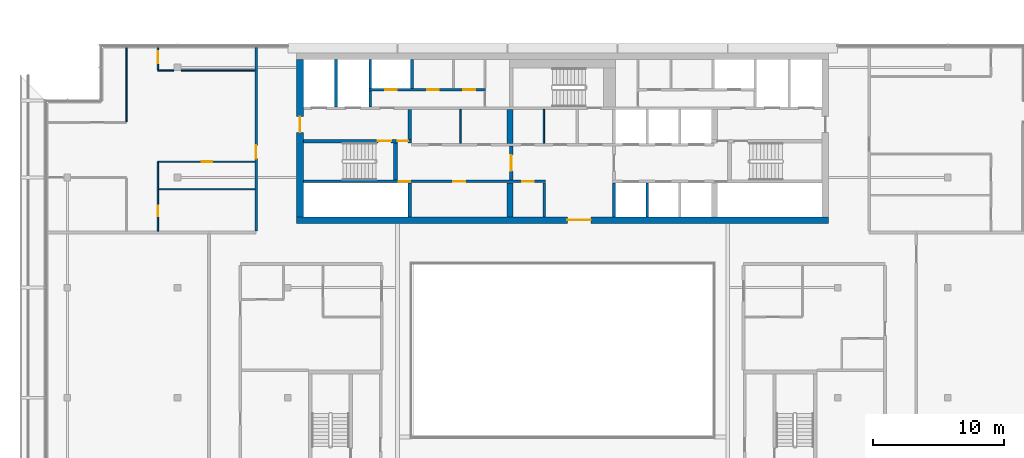
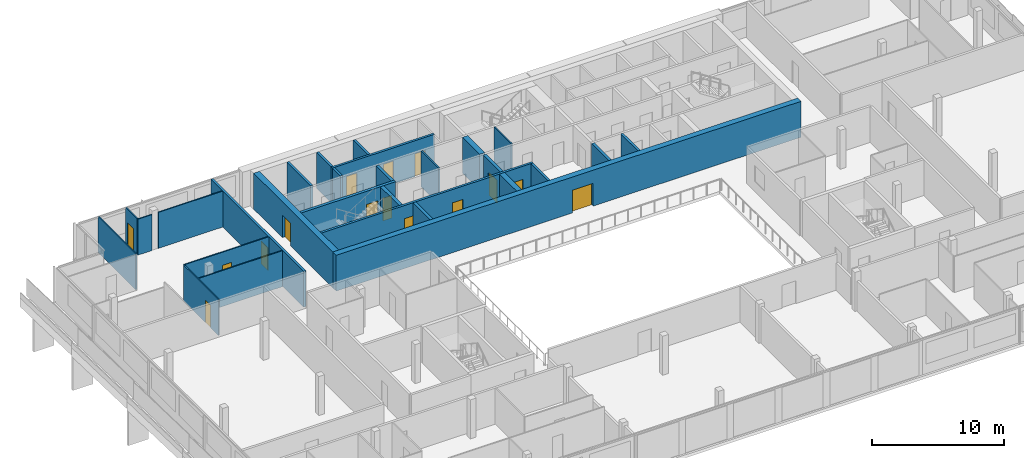
# One storey, part 18 of 27: 28 walls, 15 doors, 15 openings.
"""IFC4 building model written with IfcOpenShell, lengths in metres."""

import ifcopenshell
import ifcopenshell.guid

model = None  # the IFC model being written
_history = None  # IfcOwnerHistory: only IFC2X3 demands one
_inside = {}  # id of a spatial element -> (the spatial element, [elements in it])
_under = {}  # id of a project, library or spatial element -> (it, [spatial elements below it])
_declared = {}  # id of a project -> (the project, [libraries it declares])
_typed = {}  # id of a type object -> (the type object, [elements of that type])
_made_of = {}  # id of a material, layer set ... -> (it, [elements and type objects made of it])


def new_model(schema):
    """Start an empty IFC model of exactly this schema.

    Asked for "IFC4X3", IfcOpenShell would pick the latest addendum, in which some entities
    have other attributes; the version numbers below select the first issue.
    IFC2X3 requires an IfcOwnerHistory on every rooted entity: one is made here for all.
    """
    global model, _history
    if schema == "IFC4X3":
        model = ifcopenshell.file(schema_version=(4, 3, 0, 0))
    else:
        model = ifcopenshell.file(schema=schema)
    _inside.clear()
    _under.clear()
    _declared.clear()
    _typed.clear()
    _made_of.clear()
    _history = None
    if model.schema == "IFC2X3":
        org = make("IfcOrganization", Name="unknown")
        user = make(
            "IfcPersonAndOrganization",
            ThePerson=make("IfcPerson", FamilyName="unknown"),
            TheOrganization=org,
        )
        app = make(
            "IfcApplication",
            ApplicationDeveloper=org,
            Version="unknown",
            ApplicationFullName="unknown",
            ApplicationIdentifier="unknown",
        )
        _history = make(
            "IfcOwnerHistory",
            OwningUser=user,
            OwningApplication=app,
            ChangeAction="ADDED",
            CreationDate=0,
        )
    return model


def make(cls, **values):
    """One entity of the class cls with the attributes given. An attribute that is None is left unset."""
    return model.create_entity(
        cls, **{name: value for name, value in values.items() if value is not None}
    )


def rooted(cls, **values):
    """An entity with a GlobalId (a new one), such as an element, a storey or a relation."""
    return make(cls, GlobalId=ifcopenshell.guid.new(), OwnerHistory=_history, **values)


def si_unit(unit_type, name, prefix=None):
    """IfcSIUnit, for example si_unit("LENGTHUNIT", "METRE", prefix="MILLI")."""
    return make("IfcSIUnit", UnitType=unit_type, Prefix=prefix, Name=name)


def assignment(units):
    """IfcUnitAssignment: the units of a project."""
    return None if units is None else make("IfcUnitAssignment", Units=units)


def point(xyz):
    """IfcCartesianPoint."""
    return None if xyz is None else make("IfcCartesianPoint", Coordinates=xyz)


def direction(xyz):
    """IfcDirection."""
    return None if xyz is None else make("IfcDirection", DirectionRatios=xyz)


def frame(location, z_axis=None, x_axis=None):
    """IfcAxis2Placement3D, a coordinate frame: its origin and axes. An axis left out is left unset."""
    return make(
        "IfcAxis2Placement3D",
        Location=point(location),
        Axis=direction(z_axis),
        RefDirection=direction(x_axis),
    )


def frame_2d(location, x_axis=None):
    """IfcAxis2Placement2D, a coordinate frame in the plane: its origin and x axis."""
    return make(
        "IfcAxis2Placement2D", Location=point(location), RefDirection=direction(x_axis)
    )


def origin():
    """The frame at (0, 0, 0) with its axes left unset."""
    return frame((0.0, 0.0, 0.0))


def place(relative_to, where):
    """IfcLocalPlacement: puts the frame where relative to a parent placement (None: the world)."""
    return make(
        "IfcLocalPlacement", PlacementRelTo=relative_to, RelativePlacement=where
    )


def context(
    kind, dimensions, precision=None, world=None, true_north=None, identifier=None
):
    """IfcGeometricRepresentationContext, for example the 3D "Model" context."""
    return make(
        "IfcGeometricRepresentationContext",
        ContextIdentifier=identifier,
        ContextType=kind,
        CoordinateSpaceDimension=dimensions,
        Precision=precision,
        WorldCoordinateSystem=world,
        TrueNorth=true_north,
    )


def subcontext(parent, identifier, kind, view, scale=None):
    """IfcGeometricRepresentationSubContext, for example "Body" below "Model"."""
    return make(
        "IfcGeometricRepresentationSubContext",
        ContextIdentifier=identifier,
        ContextType=kind,
        ParentContext=parent,
        TargetScale=scale,
        TargetView=view,
    )


def project(units=None, contexts=None):
    """IfcProject with its units and contexts."""
    return rooted(
        "IfcProject",
        Name="project",
        RepresentationContexts=contexts,
        UnitsInContext=assignment(units),
    )


def spatial(cls, under=None, at=None, **own):
    """A site, building, storey or space (cls), placed at a placement, below another one or the project."""
    s = rooted(cls, ObjectPlacement=at, **own)
    if under is not None:
        _under.setdefault(under.id(), (under, []))[1].append(s)
    return s


def profile(cls, at=None, kind="AREA", **sizes):
    """A parametric profile (cls). Its sizes go by their IFC names, for example OverallWidth=200.0."""
    return make(cls, ProfileType=kind, Position=at, **sizes)


def rectangle(**sizes):
    """IfcRectangleProfileDef."""
    return profile("IfcRectangleProfileDef", **sizes)


def extrude(swept, where, along, depth):
    """IfcExtrudedAreaSolid: the profile swept, set in the frame where, extruded along a direction by depth."""
    return make(
        "IfcExtrudedAreaSolid",
        SweptArea=swept,
        Position=where,
        ExtrudedDirection=direction(along),
        Depth=depth,
    )


def shape(context_of_items, identifier, shape_type, items):
    """IfcShapeRepresentation: the items that make up one representation, for example the "Body"."""
    return make(
        "IfcShapeRepresentation",
        ContextOfItems=context_of_items,
        RepresentationIdentifier=identifier,
        RepresentationType=shape_type,
        Items=items,
    )


def material(Name=None, Category=None):
    """IfcMaterial."""
    return make("IfcMaterial", Name=Name, Category=Category)


def layer(
    of_material, thickness, ventilated=None, Name=None, Category=None, Priority=None
):
    """IfcMaterialLayer: one layer of a wall or slab, of a material (None: an air gap)."""
    return make(
        "IfcMaterialLayer",
        Material=of_material,
        LayerThickness=thickness,
        IsVentilated=ventilated,
        Name=Name,
        Category=Category,
        Priority=Priority,
    )


def layer_set(layers, Name=None):
    """IfcMaterialLayerSet."""
    return make("IfcMaterialLayerSet", MaterialLayers=layers, LayerSetName=Name)


def made_of(thing, what):
    """Note that an element or type object is made of a material, layer set ...; save() writes the relation."""
    if what is not None:
        _made_of.setdefault(what.id(), (what, []))[1].append(thing)
    return thing


def type_object(cls, material=None, **own):
    """A type object (cls), such as IfcWallType, which elements share."""
    return made_of(rooted(cls, **own), material)


def element(
    cls,
    number,
    at=None,
    inside=None,
    cuts=None,
    type_object=None,
    material=None,
    context=None,
    identifier="Body",
    shape_type=None,
    held_by="IfcProductDefinitionShape",
    body=None,
    shapes=None,
    **own,
):
    """One element of the class cls, such as IfcWall. Its Tag is "e" and its number.

    at: its placement. inside: the storey or other place that contains it. cuts: it is an
    opening in that element (IfcRelVoidsElement). A single representation is given by context,
    identifier, shape_type and body (its items); several are given by shapes. held_by: the class
    of the entity that holds the representations. save() writes the other relations.
    """
    e = rooted(cls, Tag="e%d" % number, ObjectPlacement=at, **own)
    if body is not None:
        shapes = [shape(context, identifier, shape_type, body)]
    if shapes is not None:
        e.Representation = make(held_by, Representations=shapes)
    if inside is not None:
        _inside.setdefault(inside.id(), (inside, []))[1].append(e)
    if cuts is not None:
        rooted(
            "IfcRelVoidsElement", RelatingBuildingElement=cuts, RelatedOpeningElement=e
        )
    if type_object is not None:
        _typed.setdefault(type_object.id(), (type_object, []))[1].append(e)
    return made_of(e, material)


def fill(opening, filler):
    """IfcRelFillsElement: the door or window that sits in an opening."""
    return rooted(
        "IfcRelFillsElement",
        RelatingOpeningElement=opening,
        RelatedBuildingElement=filler,
    )


def aggregate(whole, parts):
    """IfcRelAggregates: a whole, such as a stair, and the parts it consists of."""
    return rooted("IfcRelAggregates", RelatingObject=whole, RelatedObjects=parts)


def save(model, path):
    """Write the relations noted so far, then the file.

    IfcRelAggregates (storeys below a building ...), IfcRelContainedInSpatialStructure (elements
    in a storey), IfcRelDefinesByType, IfcRelAssociatesMaterial and IfcRelDeclares: one each for
    every whole, place, type object, material and project.
    """
    for whole, parts in _under.values():
        aggregate(whole, parts)
    for where, things in _inside.values():
        rooted(
            "IfcRelContainedInSpatialStructure",
            RelatedElements=things,
            RelatingStructure=where,
        )
    for kind, things in _typed.values():
        rooted("IfcRelDefinesByType", RelatedObjects=things, RelatingType=kind)
    for what, things in _made_of.values():
        rooted("IfcRelAssociatesMaterial", RelatedObjects=things, RelatingMaterial=what)
    for by, libraries in _declared.values():
        rooted("IfcRelDeclares", RelatingContext=by, RelatedDefinitions=libraries)
    model.write(path)


model = new_model("IFC4")

# Units and contexts
model_context = context("Model", 3, precision=1e-05, world=origin(), true_north=direction((0.0, 1.0)))
body_context = subcontext(model_context, "Body", "Model", "MODEL_VIEW")
ifc_project = project(units=[si_unit("LENGTHUNIT", "METRE"), si_unit("AREAUNIT", "SQUARE_METRE"), si_unit("VOLUMEUNIT", "CUBIC_METRE"), si_unit("PLANEANGLEUNIT", "RADIAN"), si_unit("MASSUNIT", "GRAM", prefix="KILO")], contexts=[model_context])

# Site, building, storey
site_placement = place(None, origin())
site = spatial("IfcSite", under=ifc_project, at=site_placement, CompositionType="ELEMENT")
building_placement = place(site_placement, origin())
building = spatial("IfcBuilding", under=site, at=building_placement, Name="Saffron Gate Tower", CompositionType="ELEMENT")
storey_placement = place(building_placement, frame((0.0, 0.0, 267.14990234375)))
storey = spatial("IfcBuildingStorey", under=building, at=storey_placement, Name="L64", CompositionType="ELEMENT", Elevation=267.14990234375)

# Wall
ifc_material_1 = material(Name="Gypsum board partition on steel studs", Category="steel")
ifc_layer_1 = layer(ifc_material_1, 0.199951171875)
ifc_layer_set_1 = layer_set([ifc_layer_1], Name="CW10 Core partition 200")
wall_type_1 = type_object("IfcWallType", Name="CW10 Core partition 200", PredefinedType="PARTITIONING", material=ifc_layer_set_1)
wall_1_placement = place(storey_placement, frame((86.199951171875, 62.39990234375, 0.0), z_axis=(0.0, 0.0, 1.0), x_axis=(0.0, 1.0, 0.0)))
element("IfcWall", 1, at=wall_1_placement, inside=storey, type_object=wall_type_1, Name="Wall CW10-L64-7", PredefinedType="PARTITIONING", context=body_context, shape_type="SweptSolid", body=[
    extrude(rectangle(XDim=2.60009765625, YDim=0.199951171875, at=frame_2d((1.300048828125, 0.0))), origin(), (0.0, 0.0, 1.0), 3.320068359375),
])

# Wall, opening, door
ifc_material_2 = material(Name="Concrete C50", Category="concrete")
ifc_layer_2 = layer(ifc_material_2, 0.5)
ifc_layer_set_2 = layer_set([ifc_layer_2], Name="CW22 RC core wall 500 C50")
wall_type_2 = type_object("IfcWallType", Name="CW22 RC core wall 500 C50", PredefinedType="SOLIDWALL", material=ifc_layer_set_2)
wall_2_placement = place(storey_placement, frame((67.300048828125, 62.14990234375, 0.0), z_axis=(0.0, 0.0, 1.0), x_axis=(1.0, 0.0, 0.0)))
wall_2 = element("IfcWall", 2, at=wall_2_placement, inside=storey, type_object=wall_type_2, Name="Wall CW22-L64-1", PredefinedType="SOLIDWALL", context=body_context, shape_type="SweptSolid", body=[
    extrude(rectangle(XDim=40.599853515625, YDim=0.5, at=frame_2d((20.2998046875, 0.0))), origin(), (0.0, 0.0, 1.0), 3.320068359375),
])
opening_1_placement = place(wall_2_placement, frame((20.64990234375, 0.0, 0.0)))
opening_1 = element("IfcOpeningElement", 3, at=opening_1_placement, cuts=wall_2, Name="Opening CR-09", PredefinedType="OPENING", context=body_context, shape_type="SweptSolid", body=[
    extrude(rectangle(XDim=1.800048828125, YDim=2.10009765625, at=frame_2d((0.89990234375, 1.050048828125))), frame((0.0, 0.260009765625, 0.0), z_axis=(0.0, -1.0, 0.0), x_axis=(1.0, 0.0, 0.0)), (0.0, 0.0, 1.0), 0.52001953125),
])
ifc_material_3 = material(Name="Steel fire door set", Category="steel")
door_type_1 = type_object("IfcDoorType", Name="CD1 Core entrance door 1800x2100 EI 120", OperationType="NOTDEFINED", PredefinedType="DOOR", material=ifc_material_3)
door_1_placement = place(opening_1_placement, origin())
door_1 = element("IfcDoor", 4, at=door_1_placement, inside=storey, type_object=door_type_1, Name="DOOR CR-09", OperationType="DOUBLE_DOOR_SINGLE_SWING", OverallHeight=2.10009765625, OverallWidth=1.800048828125, PredefinedType="DOOR", context=body_context, shape_type="SweptSolid", body=[
    extrude(rectangle(XDim=1.800048828125, YDim=2.10009765625, at=frame_2d((0.89990234375, 1.050048828125))), frame((0.0, 0.02490234375, 0.0), z_axis=(0.0, -1.0, 0.0), x_axis=(1.0, 0.0, 0.0)), (0.0, 0.0, 1.0), 0.050048828125),
])
fill(opening_1, door_1)

wall_3_placement = place(storey_placement, frame((67.550048828125, 62.39990234375, 0.0), z_axis=(0.0, 0.0, 1.0), x_axis=(0.0, 1.0, 0.0)))
wall_3 = element("IfcWall", 5, at=wall_3_placement, inside=storey, type_object=wall_type_2, Name="Wall CW22-L64-3", PredefinedType="SOLIDWALL", context=body_context, shape_type="SweptSolid", body=[
    extrude(rectangle(XDim=12.0, YDim=0.5, at=frame_2d((6.0, 0.0))), origin(), (0.0, 0.0, 1.0), 3.320068359375),
])
opening_2_placement = place(wall_3_placement, frame((6.449951171875, 0.0, 0.0)))
opening_2 = element("IfcOpeningElement", 6, at=opening_2_placement, cuts=wall_3, Name="Opening CR-10", PredefinedType="OPENING", context=body_context, shape_type="SweptSolid", body=[
    extrude(rectangle(XDim=1.199951171875, YDim=2.10009765625, at=frame_2d((0.60009765625, 1.050048828125))), frame((0.0, 0.260009765625, 0.0), z_axis=(0.0, -1.0, 0.0), x_axis=(1.0, 0.0, 0.0)), (0.0, 0.0, 1.0), 0.52001953125),
])
door_type_2 = type_object("IfcDoorType", Name="CD7 Core entrance door 1200x2100 EI 120", OperationType="NOTDEFINED", PredefinedType="DOOR", material=ifc_material_3)
door_2_placement = place(opening_2_placement, origin())
door_2 = element("IfcDoor", 7, at=door_2_placement, inside=storey, type_object=door_type_2, Name="DOOR CR-10", OperationType="SINGLE_SWING_LEFT", OverallHeight=2.10009765625, OverallWidth=1.199951171875, PredefinedType="DOOR", context=body_context, shape_type="SweptSolid", body=[
    extrude(rectangle(XDim=1.199951171875, YDim=2.10009765625, at=frame_2d((0.60009765625, 1.050048828125))), frame((0.0, 0.02490234375, 0.0), z_axis=(0.0, -1.0, 0.0), x_axis=(1.0, 0.0, 0.0)), (0.0, 0.0, 1.0), 0.050048828125),
])
fill(opening_2, door_2)

# Walls
ifc_layer_3 = layer(ifc_material_2, 0.25)
ifc_layer_set_3 = layer_set([ifc_layer_3], Name="CW23 RC core wall 250 C50")
wall_type_3 = type_object("IfcWallType", Name="CW23 RC core wall 250 C50", PredefinedType="SOLIDWALL", material=ifc_layer_set_3)
for number, where, z_axis, x_axis, name in (
    (8, (75.925048828125, 62.39990234375, 0.0), (0.0, 0.0, 1.0), (0.0, 1.0, 0.0), "Wall CW23-L64-5"),
    (9, (91.52490234375, 62.39990234375, 0.0), (0.0, 0.0, 1.0), (0.0, 1.0, 0.0), "Wall CW23-L64-8"),
):
    element("IfcWall", number, at=place(storey_placement, frame(where, z_axis=z_axis, x_axis=x_axis)), inside=storey, type_object=wall_type_3, Name=name, PredefinedType="SOLIDWALL", context=body_context, shape_type="SweptSolid", body=[
        extrude(rectangle(XDim=2.60009765625, YDim=0.25, at=frame_2d((1.300048828125, 0.0))), origin(), (0.0, 0.0, 1.0), 3.320068359375),
    ])

# Wall, opening, door
wall_4_placement = place(storey_placement, frame((83.675048828125, 65.199951171875, 0.0), z_axis=(0.0, 0.0, 1.0), x_axis=(0.0, 1.0, 0.0)))
wall_4 = element("IfcWall", 10, at=wall_4_placement, inside=storey, type_object=wall_type_3, Name="Wall CW23-L64-15", PredefinedType="SOLIDWALL", context=body_context, shape_type="SweptSolid", body=[
    extrude(rectangle(XDim=2.60009765625, YDim=0.25, at=frame_2d((1.300048828125, 0.0))), origin(), (0.0, 0.0, 1.0), 3.320068359375),
])
opening_3_placement = place(wall_4_placement, frame((0.699951171875, 0.0, 0.0)))
opening_3 = element("IfcOpeningElement", 11, at=opening_3_placement, cuts=wall_4, Name="Opening CR-07", PredefinedType="OPENING", context=body_context, shape_type="SweptSolid", body=[
    extrude(rectangle(XDim=1.199951171875, YDim=2.10009765625, at=frame_2d((0.60009765625, 1.050048828125))), frame((0.0, 0.135009765625, 0.0), z_axis=(0.0, -1.0, 0.0), x_axis=(1.0, 0.0, 0.0)), (0.0, 0.0, 1.0), 0.27001953125),
])
door_type_3 = type_object("IfcDoorType", Name="CD3 Lobby door 1200x2100 EI 120", OperationType="NOTDEFINED", PredefinedType="DOOR", material=ifc_material_3)
door_3_placement = place(opening_3_placement, origin())
door_3 = element("IfcDoor", 12, at=door_3_placement, inside=storey, type_object=door_type_3, Name="DOOR CR-07", OperationType="SINGLE_SWING_RIGHT", OverallHeight=2.10009765625, OverallWidth=1.199951171875, PredefinedType="DOOR", context=body_context, shape_type="SweptSolid", body=[
    extrude(rectangle(XDim=1.199951171875, YDim=2.10009765625, at=frame_2d((0.60009765625, 1.050048828125))), frame((0.0, 0.02490234375, 0.0), z_axis=(0.0, -1.0, 0.0), x_axis=(1.0, 0.0, 0.0)), (0.0, 0.0, 1.0), 0.050048828125),
])
fill(opening_3, door_3)

# Wall, openings, doors
wall_5_placement = place(storey_placement, frame((67.800048828125, 68.175048828125, 0.0), z_axis=(0.0, 0.0, 1.0), x_axis=(1.0, 0.0, 0.0)))
wall_5 = element("IfcWall", 13, at=wall_5_placement, inside=storey, type_object=wall_type_3, Name="Wall CW23-L64-27", PredefinedType="SOLIDWALL", context=body_context, shape_type="SweptSolid", body=[
    extrude(rectangle(XDim=8.25, YDim=0.25, at=frame_2d((4.125, 0.0))), origin(), (0.0, 0.0, 1.0), 3.320068359375),
])
opening_4_placement = place(wall_5_placement, frame((5.699951171875, 0.0, 0.0)))
opening_4 = element("IfcOpeningElement", 14, at=opening_4_placement, cuts=wall_5, Name="Opening CR-15", PredefinedType="OPENING", context=body_context, shape_type="SweptSolid", body=[
    extrude(rectangle(XDim=1.0, YDim=2.10009765625, at=frame_2d((0.5, 1.050048828125))), frame((0.0, 0.135009765625, 0.0), z_axis=(0.0, -1.0, 0.0), x_axis=(1.0, 0.0, 0.0)), (0.0, 0.0, 1.0), 0.27001953125),
])
opening_5_placement = place(wall_5_placement, frame((7.199951171875, 0.0, 0.0)))
opening_5 = element("IfcOpeningElement", 15, at=opening_5_placement, cuts=wall_5, Name="Opening CR-06", PredefinedType="OPENING", context=body_context, shape_type="SweptSolid", body=[
    extrude(rectangle(XDim=0.800048828125, YDim=2.10009765625, at=frame_2d((0.39990234375, 1.050048828125))), frame((0.0, 0.135009765625, 0.0), z_axis=(0.0, -1.0, 0.0), x_axis=(1.0, 0.0, 0.0)), (0.0, 0.0, 1.0), 0.27001953125),
])
door_type_4 = type_object("IfcDoorType", Name="CD5 Stair door 1000x2100 EI 120", OperationType="NOTDEFINED", PredefinedType="DOOR", material=ifc_material_3)
door_4_placement = place(opening_4_placement, origin())
door_4 = element("IfcDoor", 16, at=door_4_placement, inside=storey, type_object=door_type_4, Name="DOOR CR-15", OperationType="SINGLE_SWING_RIGHT", OverallHeight=2.10009765625, OverallWidth=1.0, PredefinedType="DOOR", context=body_context, shape_type="SweptSolid", body=[
    extrude(rectangle(XDim=1.0, YDim=2.10009765625, at=frame_2d((0.5, 1.050048828125))), frame((0.0, 0.02490234375, 0.0), z_axis=(0.0, -1.0, 0.0), x_axis=(1.0, 0.0, 0.0)), (0.0, 0.0, 1.0), 0.050048828125),
])
fill(opening_4, door_4)
door_type_5 = type_object("IfcDoorType", Name="CD6 Lobby door 800x2100 EI 120", OperationType="NOTDEFINED", PredefinedType="DOOR", material=ifc_material_3)
door_5_placement = place(opening_5_placement, origin())
door_5 = element("IfcDoor", 17, at=door_5_placement, inside=storey, type_object=door_type_5, Name="DOOR CR-06", OperationType="SINGLE_SWING_LEFT", OverallHeight=2.10009765625, OverallWidth=0.800048828125, PredefinedType="DOOR", context=body_context, shape_type="SweptSolid", body=[
    extrude(rectangle(XDim=0.800048828125, YDim=2.10009765625, at=frame_2d((0.39990234375, 1.050048828125))), frame((0.0, 0.02490234375, 0.0), z_axis=(0.0, -1.0, 0.0), x_axis=(1.0, 0.0, 0.0)), (0.0, 0.0, 1.0), 0.050048828125),
])
fill(opening_5, door_5)

# Walls
wall_6_placement = place(storey_placement, frame((75.925048828125, 68.300048828125, 0.0), z_axis=(0.0, 0.0, 1.0), x_axis=(0.0, 1.0, 0.0)))
element("IfcWall", 18, at=wall_6_placement, inside=storey, type_object=wall_type_3, Name="Wall CW23-L64-29", PredefinedType="SOLIDWALL", context=body_context, shape_type="SweptSolid", body=[
    extrude(rectangle(XDim=2.300048828125, YDim=0.25, at=frame_2d((1.14990234375, 0.0))), origin(), (0.0, 0.0, 1.0), 3.320068359375),
])
ifc_layer_4 = layer(ifc_material_2, 0.449951171875)
ifc_layer_set_4 = layer_set([ifc_layer_4], Name="CW24 RC core wall 450 C50")
wall_type_4 = type_object("IfcWallType", Name="CW24 RC core wall 450 C50", PredefinedType="SOLIDWALL", material=ifc_layer_set_4)
for number, where, z_axis, x_axis, name in (
    (19, (83.574951171875, 62.39990234375, 0.0), (0.0, 0.0, 1.0), (0.0, 1.0, 0.0), "Wall CW24-L64-6"),
    (20, (83.574951171875, 68.0, 0.0), (0.0, 0.0, 1.0), (0.0, 1.0, 0.0), "Wall CW24-L64-20"),
):
    element("IfcWall", number, at=place(storey_placement, frame(where, z_axis=z_axis, x_axis=x_axis)), inside=storey, type_object=wall_type_4, Name=name, PredefinedType="SOLIDWALL", context=body_context, shape_type="SweptSolid", body=[
        extrude(rectangle(XDim=2.60009765625, YDim=0.449951171875, at=frame_2d((1.300048828125, 0.0))), origin(), (0.0, 0.0, 1.0), 3.320068359375),
    ])
ifc_layer_5 = layer(ifc_material_2, 0.199951171875)
ifc_layer_set_5 = layer_set([ifc_layer_5], Name="CW25 RC core wall 200 C50")
wall_type_5 = type_object("IfcWallType", Name="CW25 RC core wall 200 C50", PredefinedType="SOLIDWALL", material=ifc_layer_set_5)
wall_7_placement = place(storey_placement, frame((94.050048828125, 62.39990234375, 0.0), z_axis=(0.0, 0.0, 1.0), x_axis=(0.0, 1.0, 0.0)))
element("IfcWall", 21, at=wall_7_placement, inside=storey, type_object=wall_type_5, Name="Wall CW25-L64-9", PredefinedType="SOLIDWALL", context=body_context, shape_type="SweptSolid", body=[
    extrude(rectangle(XDim=2.60009765625, YDim=0.199951171875, at=frame_2d((1.300048828125, 0.0))), origin(), (0.0, 0.0, 1.0), 3.320068359375),
])

# Wall, openings, doors
wall_8_placement = place(storey_placement, frame((67.800048828125, 65.10009765625, 0.0), z_axis=(0.0, 0.0, 1.0), x_axis=(1.0, 0.0, 0.0)))
wall_8 = element("IfcWall", 22, at=wall_8_placement, inside=storey, type_object=wall_type_5, Name="Wall CW25-L64-12", PredefinedType="SOLIDWALL", context=body_context, shape_type="SweptSolid", body=[
    extrude(rectangle(XDim=18.5, YDim=0.199951171875, at=frame_2d((9.25, 0.0))), origin(), (0.0, 0.0, 1.0), 3.320068359375),
])
opening_6_placement = place(wall_8_placement, frame((7.27001953125, 0.0, 0.0)))
opening_6 = element("IfcOpeningElement", 23, at=opening_6_placement, cuts=wall_8, Name="Opening CR-49", PredefinedType="OPENING", context=body_context, shape_type="SweptSolid", body=[
    extrude(rectangle(XDim=0.89990234375, YDim=2.10009765625, at=frame_2d((0.449951171875, 1.050048828125))), frame((0.0, 0.10986328125, 0.0), z_axis=(0.0, -1.0, 0.0), x_axis=(1.0, 0.0, 0.0)), (0.0, 0.0, 1.0), 0.219970703125),
])
opening_7_placement = place(wall_8_placement, frame((11.449951171875, 0.0, 0.0)))
opening_7 = element("IfcOpeningElement", 24, at=opening_7_placement, cuts=wall_8, Name="Opening CR-64", PredefinedType="OPENING", context=body_context, shape_type="SweptSolid", body=[
    extrude(rectangle(XDim=0.89990234375, YDim=2.10009765625, at=frame_2d((0.449951171875, 1.050048828125))), frame((0.0, 0.10986328125, 0.0), z_axis=(0.0, -1.0, 0.0), x_axis=(1.0, 0.0, 0.0)), (0.0, 0.0, 1.0), 0.219970703125),
])
opening_8_placement = place(wall_8_placement, frame((16.699951171875, 0.0, 0.0)))
opening_8 = element("IfcOpeningElement", 25, at=opening_8_placement, cuts=wall_8, Name="Opening CR-69", PredefinedType="OPENING", context=body_context, shape_type="SweptSolid", body=[
    extrude(rectangle(XDim=0.89990234375, YDim=2.10009765625, at=frame_2d((0.449951171875, 1.050048828125))), frame((0.0, 0.10986328125, 0.0), z_axis=(0.0, -1.0, 0.0), x_axis=(1.0, 0.0, 0.0)), (0.0, 0.0, 1.0), 0.219970703125),
])
door_type_6 = type_object("IfcDoorType", Name="CD2 Riser door 900x2100 EI 60", OperationType="NOTDEFINED", PredefinedType="DOOR", material=ifc_material_3)
door_6_placement = place(opening_6_placement, origin())
door_6 = element("IfcDoor", 26, at=door_6_placement, inside=storey, type_object=door_type_6, Name="DOOR CR-49", OperationType="SINGLE_SWING_LEFT", OverallHeight=2.10009765625, OverallWidth=0.89990234375, PredefinedType="DOOR", context=body_context, shape_type="SweptSolid", body=[
    extrude(rectangle(XDim=0.89990234375, YDim=2.10009765625, at=frame_2d((0.449951171875, 1.050048828125))), frame((0.0, 0.02490234375, 0.0), z_axis=(0.0, -1.0, 0.0), x_axis=(1.0, 0.0, 0.0)), (0.0, 0.0, 1.0), 0.050048828125),
])
fill(opening_6, door_6)
door_type_7 = type_object("IfcDoorType", Name="CD9 Room door 900x2100 EI 60", OperationType="NOTDEFINED", PredefinedType="DOOR", material=ifc_material_3)
door_7_placement = place(opening_7_placement, origin())
door_7 = element("IfcDoor", 27, at=door_7_placement, inside=storey, type_object=door_type_7, Name="DOOR CR-64", OperationType="SINGLE_SWING_RIGHT", OverallHeight=2.10009765625, OverallWidth=0.89990234375, PredefinedType="DOOR", context=body_context, shape_type="SweptSolid", body=[
    extrude(rectangle(XDim=0.89990234375, YDim=2.10009765625, at=frame_2d((0.449951171875, 1.050048828125))), frame((0.0, 0.02490234375, 0.0), z_axis=(0.0, -1.0, 0.0), x_axis=(1.0, 0.0, 0.0)), (0.0, 0.0, 1.0), 0.050048828125),
])
fill(opening_7, door_7)
door_8_placement = place(opening_8_placement, origin())
door_8 = element("IfcDoor", 28, at=door_8_placement, inside=storey, type_object=door_type_7, Name="DOOR CR-69", OperationType="SINGLE_SWING_RIGHT", OverallHeight=2.10009765625, OverallWidth=0.89990234375, PredefinedType="DOOR", context=body_context, shape_type="SweptSolid", body=[
    extrude(rectangle(XDim=0.89990234375, YDim=2.10009765625, at=frame_2d((0.449951171875, 1.050048828125))), frame((0.0, 0.02490234375, 0.0), z_axis=(0.0, -1.0, 0.0), x_axis=(1.0, 0.0, 0.0)), (0.0, 0.0, 1.0), 0.050048828125),
])
fill(opening_8, door_8)

# Walls
wall_9_placement = place(storey_placement, frame((70.300048828125, 70.800048828125, 0.0), z_axis=(0.0, 0.0, 1.0), x_axis=(0.0, 1.0, 0.0)))
element("IfcWall", 29, at=wall_9_placement, inside=storey, type_object=wall_type_5, Name="Wall CW25-L64-32", PredefinedType="SOLIDWALL", context=body_context, shape_type="SweptSolid", body=[
    extrude(rectangle(XDim=3.599853515625, YDim=0.199951171875, at=frame_2d((1.7998046875, 0.0))), origin(), (0.0, 0.0, 1.0), 3.320068359375),
])
wall_10_placement = place(storey_placement, frame((72.89990234375, 70.800048828125, 0.0), z_axis=(0.0, 0.0, 1.0), x_axis=(0.0, 1.0, 0.0)))
element("IfcWall", 30, at=wall_10_placement, inside=storey, type_object=wall_type_5, Name="Wall CW25-L64-33", PredefinedType="SOLIDWALL", context=body_context, shape_type="SweptSolid", body=[
    extrude(rectangle(XDim=1.199951171875, YDim=0.199951171875, at=frame_2d((0.60009765625, 0.0))), origin(), (0.0, 0.0, 1.0), 3.320068359375),
])

# Wall, openings, doors
wall_11_placement = place(storey_placement, frame((72.800048828125, 72.10009765625, 0.0), z_axis=(0.0, 0.0, 1.0), x_axis=(1.0, 0.0, 0.0)))
wall_11 = element("IfcWall", 31, at=wall_11_placement, inside=storey, type_object=wall_type_5, Name="Wall CW25-L64-40", PredefinedType="SOLIDWALL", context=body_context, shape_type="SweptSolid", body=[
    extrude(rectangle(XDim=8.919921875, YDim=0.199951171875, at=frame_2d((4.4599609375, 0.0))), origin(), (0.0, 0.0, 1.0), 3.320068359375),
])
opening_9_placement = place(wall_11_placement, frame((1.25, 0.0, 0.0)))
opening_9 = element("IfcOpeningElement", 32, at=opening_9_placement, cuts=wall_11, Name="Opening CR-71", PredefinedType="OPENING", context=body_context, shape_type="SweptSolid", body=[
    extrude(rectangle(XDim=0.89990234375, YDim=2.10009765625, at=frame_2d((0.449951171875, 1.050048828125))), frame((0.0, 0.10986328125, 0.0), z_axis=(0.0, -1.0, 0.0), x_axis=(1.0, 0.0, 0.0)), (0.0, 0.0, 1.0), 0.219970703125),
])
opening_10_placement = place(wall_11_placement, frame((4.449951171875, 0.0, 0.0)))
opening_10 = element("IfcOpeningElement", 33, at=opening_10_placement, cuts=wall_11, Name="Opening CR-55", PredefinedType="OPENING", context=body_context, shape_type="SweptSolid", body=[
    extrude(rectangle(XDim=0.89990234375, YDim=2.10009765625, at=frame_2d((0.449951171875, 1.050048828125))), frame((0.0, 0.10986328125, 0.0), z_axis=(0.0, -1.0, 0.0), x_axis=(1.0, 0.0, 0.0)), (0.0, 0.0, 1.0), 0.219970703125),
])
opening_11_placement = place(wall_11_placement, frame((7.2099609375, 0.0, 0.0)))
opening_11 = element("IfcOpeningElement", 34, at=opening_11_placement, cuts=wall_11, Name="Opening CR-58", PredefinedType="OPENING", context=body_context, shape_type="SweptSolid", body=[
    extrude(rectangle(XDim=0.89990234375, YDim=2.10009765625, at=frame_2d((0.449951171875, 1.050048828125))), frame((0.0, 0.10986328125, 0.0), z_axis=(0.0, -1.0, 0.0), x_axis=(1.0, 0.0, 0.0)), (0.0, 0.0, 1.0), 0.219970703125),
])
door_9_placement = place(opening_9_placement, origin())
door_9 = element("IfcDoor", 35, at=door_9_placement, inside=storey, type_object=door_type_6, Name="DOOR CR-71", OperationType="SINGLE_SWING_LEFT", OverallHeight=2.10009765625, OverallWidth=0.89990234375, PredefinedType="DOOR", context=body_context, shape_type="SweptSolid", body=[
    extrude(rectangle(XDim=0.89990234375, YDim=2.10009765625, at=frame_2d((0.449951171875, 1.050048828125))), frame((0.0, 0.02490234375, 0.0), z_axis=(0.0, -1.0, 0.0), x_axis=(1.0, 0.0, 0.0)), (0.0, 0.0, 1.0), 0.050048828125),
])
fill(opening_9, door_9)
door_10_placement = place(opening_10_placement, origin())
door_10 = element("IfcDoor", 36, at=door_10_placement, inside=storey, type_object=door_type_7, Name="DOOR CR-55", OperationType="SINGLE_SWING_LEFT", OverallHeight=2.10009765625, OverallWidth=0.89990234375, PredefinedType="DOOR", context=body_context, shape_type="SweptSolid", body=[
    extrude(rectangle(XDim=0.89990234375, YDim=2.10009765625, at=frame_2d((0.449951171875, 1.050048828125))), frame((0.0, 0.02490234375, 0.0), z_axis=(0.0, -1.0, 0.0), x_axis=(1.0, 0.0, 0.0)), (0.0, 0.0, 1.0), 0.050048828125),
])
fill(opening_10, door_10)
door_11_placement = place(opening_11_placement, origin())
door_11 = element("IfcDoor", 37, at=door_11_placement, inside=storey, type_object=door_type_7, Name="DOOR CR-58", OperationType="SINGLE_SWING_LEFT", OverallHeight=2.10009765625, OverallWidth=0.89990234375, PredefinedType="DOOR", context=body_context, shape_type="SweptSolid", body=[
    extrude(rectangle(XDim=0.89990234375, YDim=2.10009765625, at=frame_2d((0.449951171875, 1.050048828125))), frame((0.0, 0.02490234375, 0.0), z_axis=(0.0, -1.0, 0.0), x_axis=(1.0, 0.0, 0.0)), (0.0, 0.0, 1.0), 0.050048828125),
])
fill(opening_11, door_11)

# Walls
for number, where, z_axis, x_axis, name in (
    (38, (72.89990234375, 72.199951171875, 0.0), (0.0, 0.0, 1.0), (0.0, 1.0, 0.0), "Wall CW25-L64-42"),
    (39, (76.10009765625, 72.199951171875, 0.0), (0.0, 0.0, 1.0), (0.0, 1.0, 0.0), "Wall CW25-L64-43"),
):
    element("IfcWall", number, at=place(storey_placement, frame(where, z_axis=z_axis, x_axis=x_axis)), inside=storey, type_object=wall_type_5, Name=name, PredefinedType="SOLIDWALL", context=body_context, shape_type="SweptSolid", body=[
        extrude(rectangle(XDim=2.199951171875, YDim=0.199951171875, at=frame_2d((1.10009765625, 0.0))), origin(), (0.0, 0.0, 1.0), 3.320068359375),
    ])
ifc_layer_6 = layer(ifc_material_2, 0.300048828125)
ifc_layer_set_6 = layer_set([ifc_layer_6], Name="CW26 RC core wall 300 C50")
wall_type_6 = type_object("IfcWallType", Name="CW26 RC core wall 300 C50", PredefinedType="SOLIDWALL", material=ifc_layer_set_6)
wall_12_placement = place(storey_placement, frame((74.85009765625, 65.199951171875, 0.0), z_axis=(0.0, 0.0, 1.0), x_axis=(0.0, 1.0, 0.0)))
element("IfcWall", 40, at=wall_12_placement, inside=storey, type_object=wall_type_6, Name="Wall CW26-L64-14", PredefinedType="SOLIDWALL", context=body_context, shape_type="SweptSolid", body=[
    extrude(rectangle(XDim=2.85009765625, YDim=0.300048828125, at=frame_2d((1.425048828125, 0.0))), origin(), (0.0, 0.0, 1.0), 3.320068359375),
])
ifc_layer_7 = layer(ifc_material_1, 0.1201171875)
ifc_layer_set_7 = layer_set([ifc_layer_7], Name="CW8 Core partition 120")
wall_type_7 = type_object("IfcWallType", Name="CW8 Core partition 120", PredefinedType="PARTITIONING", material=ifc_layer_set_7)
for number, where, z_axis, x_axis, name in (
    (41, (79.81005859375, 68.0, 0.0), (0.0, 0.0, 1.0), (0.0, 1.0, 0.0), "Wall CW8-L64-19"),
    (42, (86.159912109375, 68.0, 0.0), (0.0, 0.0, 1.0), (0.0, 1.0, 0.0), "Wall CW8-L64-21"),
):
    element("IfcWall", number, at=place(storey_placement, frame(where, z_axis=z_axis, x_axis=x_axis)), inside=storey, type_object=wall_type_7, Name=name, PredefinedType="PARTITIONING", context=body_context, shape_type="SweptSolid", body=[
        extrude(rectangle(XDim=2.60009765625, YDim=0.1201171875, at=frame_2d((1.300048828125, 0.0))), origin(), (0.0, 0.0, 1.0), 3.320068359375),
    ])
ifc_material_4 = material(Name="Plasterboard on steel studs", Category="steel")
ifc_layer_8 = layer(ifc_material_4, 0.10009765625)
ifc_layer_set_8 = layer_set([ifc_layer_8], Name="PW1 Partition 100")
wall_type_8 = type_object("IfcWallType", Name="PW1 Partition 100", PredefinedType="PARTITIONING", material=ifc_layer_set_8)
wall_13_placement = place(storey_placement, frame((56.75, 64.5, 0.0), z_axis=(0.0, 0.0, 1.0), x_axis=(1.0, 0.0, 0.0)))
element("IfcWall", 43, at=wall_13_placement, inside=storey, type_object=wall_type_8, Name="Partition E1-29", PredefinedType="PARTITIONING", context=body_context, shape_type="SweptSolid", body=[
    extrude(rectangle(XDim=7.35009765625, YDim=0.10009765625, at=frame_2d((3.675048828125, 0.0))), origin(), (0.0, 0.0, 1.0), 3.320068359375),
])

# Wall, opening, door
wall_14_placement = place(storey_placement, frame((64.10009765625, 66.60009765625, 0.0), z_axis=(0.0, 0.0, 1.0), x_axis=(-1.0, 0.0, 0.0)))
wall_14 = element("IfcWall", 44, at=wall_14_placement, inside=storey, type_object=wall_type_8, Name="Partition E1-32", PredefinedType="PARTITIONING", context=body_context, shape_type="SweptSolid", body=[
    extrude(rectangle(XDim=7.400146484375, YDim=0.10009765625, at=frame_2d((3.7001953125, 0.0))), origin(), (0.0, 0.0, 1.0), 3.320068359375),
])
opening_12_placement = place(wall_14_placement, frame((3.25, 0.0, 0.0)))
opening_12 = element("IfcOpeningElement", 45, at=opening_12_placement, cuts=wall_14, Name="Opening E1-31", PredefinedType="OPENING", context=body_context, shape_type="SweptSolid", body=[
    extrude(rectangle(XDim=0.800048828125, YDim=2.10009765625, at=frame_2d((0.39990234375, 1.050048828125))), frame((0.0, 0.06005859375, 0.0), z_axis=(0.0, -1.0, 0.0), x_axis=(1.0, 0.0, 0.0)), (0.0, 0.0, 1.0), 0.1201171875),
])
ifc_material_5 = material(Name="Timber door set", Category="wood")
door_type_8 = type_object("IfcDoorType", Name="RD2 Bathroom door 800x2100", OperationType="NOTDEFINED", PredefinedType="DOOR", material=ifc_material_5)
door_12_placement = place(opening_12_placement, origin())
door_12 = element("IfcDoor", 46, at=door_12_placement, inside=storey, type_object=door_type_8, Name="Door E1-31", OperationType="SINGLE_SWING_LEFT", OverallHeight=2.10009765625, OverallWidth=0.800048828125, PredefinedType="DOOR", context=body_context, shape_type="SweptSolid", body=[
    extrude(rectangle(XDim=0.800048828125, YDim=2.10009765625, at=frame_2d((0.39990234375, 1.050048828125))), frame((0.0, 0.02490234375, 0.0), z_axis=(0.0, -1.0, 0.0), x_axis=(1.0, 0.0, 0.0)), (0.0, 0.0, 1.0), 0.050048828125),
])
fill(opening_12, door_12)

# Walls
wall_15_placement = place(storey_placement, frame((56.699951171875, 73.566650390625, 0.0), z_axis=(0.0, 0.0, 1.0), x_axis=(1.0, 0.0, 0.0)))
element("IfcWall", 47, at=wall_15_placement, inside=storey, type_object=wall_type_8, Name="Partition E1-37", PredefinedType="PARTITIONING", context=body_context, shape_type="SweptSolid", body=[
    extrude(rectangle(XDim=1.22998046875, YDim=0.10009765625, at=frame_2d((0.614990234375, 0.0))), origin(), (0.0, 0.0, 1.0), 3.320068359375),
])
wall_16_placement = place(storey_placement, frame((58.469970703125, 73.566650390625, 0.0), z_axis=(0.0, 0.0, 1.0), x_axis=(1.0, 0.0, 0.0)))
element("IfcWall", 48, at=wall_16_placement, inside=storey, type_object=wall_type_8, Name="Partition E1-38", PredefinedType="PARTITIONING", context=body_context, shape_type="SweptSolid", body=[
    extrude(rectangle(XDim=5.630126953125, YDim=0.10009765625, at=frame_2d((2.81494140625, 0.0))), origin(), (0.0, 0.0, 1.0), 3.320068359375),
])
wall_17_placement = place(storey_placement, frame((54.300048828125, 75.320068359375, 0.0), z_axis=(0.0, 0.0, 1.0), x_axis=(0.0, -1.0, 0.0)))
element("IfcWall", 49, at=wall_17_placement, inside=storey, type_object=wall_type_8, Name="Partition E1-42", PredefinedType="PARTITIONING", context=body_context, shape_type="SweptSolid", body=[
    extrude(rectangle(XDim=5.670166015625, YDim=0.10009765625, at=frame_2d((2.8349609375, 0.0))), origin(), (0.0, 0.0, 1.0), 3.320068359375),
])

# Wall, opening, door
wall_18_placement = place(storey_placement, frame((56.699951171875, 66.550048828125, 0.0), z_axis=(0.0, 0.0, 1.0), x_axis=(0.0, -1.0, 0.0)))
wall_18 = element("IfcWall", 50, at=wall_18_placement, inside=storey, type_object=wall_type_8, Name="Partition E1-43", PredefinedType="PARTITIONING", context=body_context, shape_type="SweptSolid", body=[
    extrude(rectangle(XDim=5.25, YDim=0.10009765625, at=frame_2d((2.625, 0.0))), origin(), (0.0, 0.0, 1.0), 3.320068359375),
])
opening_13_placement = place(wall_18_placement, frame((3.300048828125, 0.0, 0.0)))
opening_13 = element("IfcOpeningElement", 51, at=opening_13_placement, cuts=wall_18, Name="Opening E1-30", PredefinedType="OPENING", context=body_context, shape_type="SweptSolid", body=[
    extrude(rectangle(XDim=0.800048828125, YDim=2.10009765625, at=frame_2d((0.39990234375, 1.050048828125))), frame((0.0, 0.06005859375, 0.0), z_axis=(0.0, -1.0, 0.0), x_axis=(1.0, 0.0, 0.0)), (0.0, 0.0, 1.0), 0.1201171875),
])
door_13_placement = place(opening_13_placement, origin())
door_13 = element("IfcDoor", 52, at=door_13_placement, inside=storey, type_object=door_type_8, Name="Door E1-30", OperationType="SINGLE_SWING_RIGHT", OverallHeight=2.10009765625, OverallWidth=0.800048828125, PredefinedType="DOOR", context=body_context, shape_type="SweptSolid", body=[
    extrude(rectangle(XDim=0.800048828125, YDim=2.10009765625, at=frame_2d((0.39990234375, 1.050048828125))), frame((0.0, 0.02490234375, 0.0), z_axis=(0.0, -1.0, 0.0), x_axis=(1.0, 0.0, 0.0)), (0.0, 0.0, 1.0), 0.050048828125),
])
fill(opening_13, door_13)

wall_19_placement = place(storey_placement, frame((56.699951171875, 75.320068359375, 0.0), z_axis=(0.0, 0.0, 1.0), x_axis=(0.0, -1.0, 0.0)))
wall_19 = element("IfcWall", 53, at=wall_19_placement, inside=storey, type_object=wall_type_8, Name="Partition E1-44", PredefinedType="PARTITIONING", context=body_context, shape_type="SweptSolid", body=[
    extrude(rectangle(XDim=1.703369140625, YDim=0.10009765625, at=frame_2d((0.8515625, 0.0))), origin(), (0.0, 0.0, 1.0), 3.320068359375),
])
opening_14_placement = place(wall_19_placement, frame((0.28662109375, 0.0, 0.0)))
opening_14 = element("IfcOpeningElement", 54, at=opening_14_placement, cuts=wall_19, Name="Opening E1-20", PredefinedType="OPENING", context=body_context, shape_type="SweptSolid", body=[
    extrude(rectangle(XDim=0.89990234375, YDim=2.10009765625, at=frame_2d((0.449951171875, 1.050048828125))), frame((0.0, 0.06005859375, 0.0), z_axis=(0.0, -1.0, 0.0), x_axis=(1.0, 0.0, 0.0)), (0.0, 0.0, 1.0), 0.1201171875),
])
door_type_9 = type_object("IfcDoorType", Name="RD1 Room door 900x2100", OperationType="NOTDEFINED", PredefinedType="DOOR", material=ifc_material_5)
door_14_placement = place(opening_14_placement, origin())
door_14 = element("IfcDoor", 55, at=door_14_placement, inside=storey, type_object=door_type_9, Name="Door E1-20", OperationType="SINGLE_SWING_LEFT", OverallHeight=2.10009765625, OverallWidth=0.89990234375, PredefinedType="DOOR", context=body_context, shape_type="SweptSolid", body=[
    extrude(rectangle(XDim=0.89990234375, YDim=2.10009765625, at=frame_2d((0.449951171875, 1.050048828125))), frame((0.0, 0.02490234375, 0.0), z_axis=(0.0, -1.0, 0.0), x_axis=(1.0, 0.0, 0.0)), (0.0, 0.0, 1.0), 0.050048828125),
])
fill(opening_14, door_14)

ifc_material_6 = material(Name="Clay brick masonry, rendered", Category="masonry")
ifc_layer_9 = layer(ifc_material_6, 0.199951171875)
ifc_layer_set_9 = layer_set([ifc_layer_9], Name="PW3 Corridor wall 200")
wall_type_9 = type_object("IfcWallType", Name="PW3 Corridor wall 200", PredefinedType="PARTITIONING", material=ifc_layer_set_9)
wall_20_placement = place(storey_placement, frame((64.199951171875, 61.300048828125, 0.0), z_axis=(0.0, 0.0, 1.0), x_axis=(0.0, 1.0, 0.0)))
wall_20 = element("IfcWall", 56, at=wall_20_placement, inside=storey, type_object=wall_type_9, Name="Wall E1-51", PredefinedType="PARTITIONING", context=body_context, shape_type="SweptSolid", body=[
    extrude(rectangle(XDim=14.02001953125, YDim=0.199951171875, at=frame_2d((7.010009765625, 0.0))), origin(), (0.0, 0.0, 1.0), 3.320068359375),
])
opening_15_placement = place(wall_20_placement, frame((5.550048828125, 0.0, 0.0)))
opening_15 = element("IfcOpeningElement", 57, at=opening_15_placement, cuts=wall_20, Name="Opening E1-3", PredefinedType="OPENING", context=body_context, shape_type="SweptSolid", body=[
    extrude(rectangle(XDim=1.0, YDim=2.10009765625, at=frame_2d((0.5, 1.050048828125))), frame((0.0, 0.10986328125, 0.0), z_axis=(0.0, -1.0, 0.0), x_axis=(1.0, 0.0, 0.0)), (0.0, 0.0, 1.0), 0.219970703125),
])
ifc_material_7 = material(Name="Timber fire door set", Category="wood")
door_type_10 = type_object("IfcDoorType", Name="FD1 Flat entry door 1000x2100", OperationType="NOTDEFINED", PredefinedType="DOOR", material=ifc_material_7)
door_15_placement = place(opening_15_placement, origin())
door_15 = element("IfcDoor", 58, at=door_15_placement, inside=storey, type_object=door_type_10, Name="Door E1-3", OperationType="SINGLE_SWING_LEFT", OverallHeight=2.10009765625, OverallWidth=1.0, PredefinedType="DOOR", context=body_context, shape_type="SweptSolid", body=[
    extrude(rectangle(XDim=1.0, YDim=2.10009765625, at=frame_2d((0.5, 1.050048828125))), frame((0.0, 0.02490234375, 0.0), z_axis=(0.0, -1.0, 0.0), x_axis=(1.0, 0.0, 0.0)), (0.0, 0.0, 1.0), 0.050048828125),
])
fill(opening_15, door_15)

save(model, "model.ifc")
